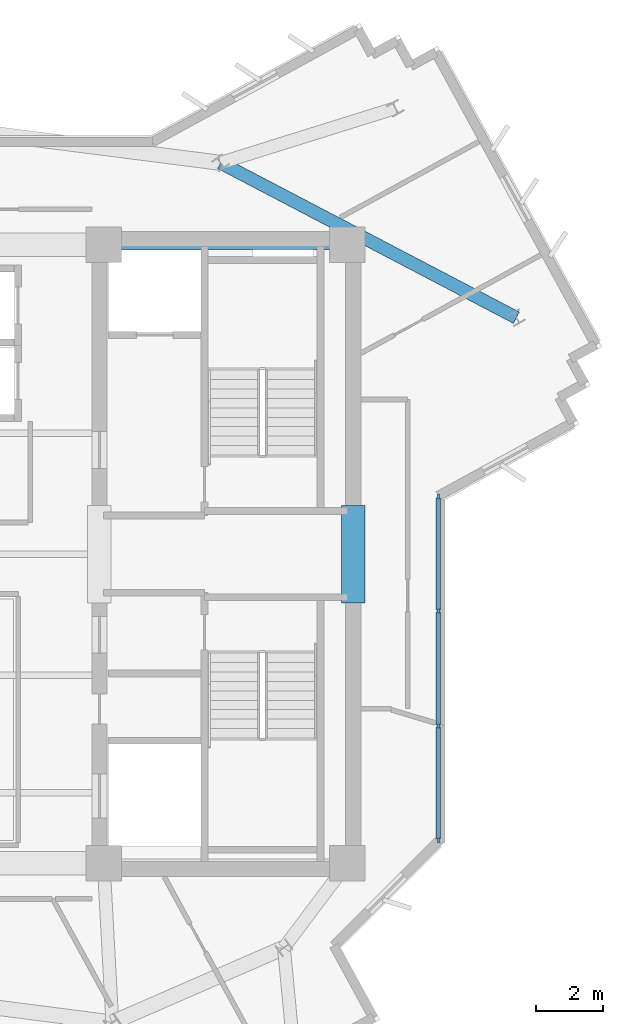
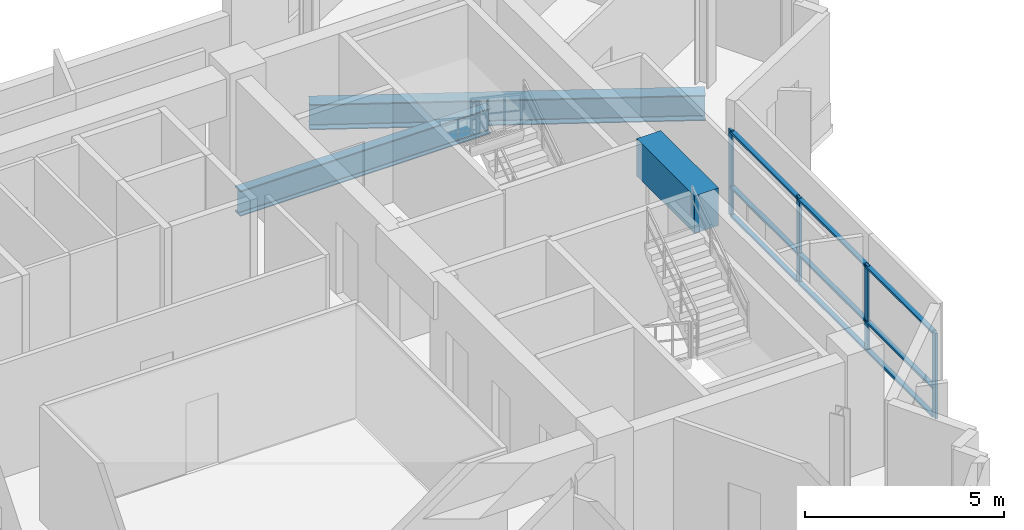
# One storey, part 3 of 13: 13 members, 3 beams, 1 element without a shape of its own.
"""IFC4 building model written with IfcOpenShell, lengths in metres."""

import ifcopenshell
import ifcopenshell.guid

model = None  # the IFC model being written
_history = None  # IfcOwnerHistory: only IFC2X3 demands one
_inside = {}  # id of a spatial element -> (the spatial element, [elements in it])
_under = {}  # id of a project, library or spatial element -> (it, [spatial elements below it])
_declared = {}  # id of a project -> (the project, [libraries it declares])
_typed = {}  # id of a type object -> (the type object, [elements of that type])
_made_of = {}  # id of a material, layer set ... -> (it, [elements and type objects made of it])


def new_model(schema):
    """Start an empty IFC model of exactly this schema.

    Asked for "IFC4X3", IfcOpenShell would pick the latest addendum, in which some entities
    have other attributes; the version numbers below select the first issue.
    IFC2X3 requires an IfcOwnerHistory on every rooted entity: one is made here for all.
    """
    global model, _history
    if schema == "IFC4X3":
        model = ifcopenshell.file(schema_version=(4, 3, 0, 0))
    else:
        model = ifcopenshell.file(schema=schema)
    _inside.clear()
    _under.clear()
    _declared.clear()
    _typed.clear()
    _made_of.clear()
    _history = None
    if model.schema == "IFC2X3":
        org = make("IfcOrganization", Name="unknown")
        user = make(
            "IfcPersonAndOrganization",
            ThePerson=make("IfcPerson", FamilyName="unknown"),
            TheOrganization=org,
        )
        app = make(
            "IfcApplication",
            ApplicationDeveloper=org,
            Version="unknown",
            ApplicationFullName="unknown",
            ApplicationIdentifier="unknown",
        )
        _history = make(
            "IfcOwnerHistory",
            OwningUser=user,
            OwningApplication=app,
            ChangeAction="ADDED",
            CreationDate=0,
        )
    return model


def make(cls, **values):
    """One entity of the class cls with the attributes given. An attribute that is None is left unset."""
    return model.create_entity(
        cls, **{name: value for name, value in values.items() if value is not None}
    )


def rooted(cls, **values):
    """An entity with a GlobalId (a new one), such as an element, a storey or a relation."""
    return make(cls, GlobalId=ifcopenshell.guid.new(), OwnerHistory=_history, **values)


def si_unit(unit_type, name, prefix=None):
    """IfcSIUnit, for example si_unit("LENGTHUNIT", "METRE", prefix="MILLI")."""
    return make("IfcSIUnit", UnitType=unit_type, Prefix=prefix, Name=name)


def assignment(units):
    """IfcUnitAssignment: the units of a project."""
    return None if units is None else make("IfcUnitAssignment", Units=units)


def point(xyz):
    """IfcCartesianPoint."""
    return None if xyz is None else make("IfcCartesianPoint", Coordinates=xyz)


def direction(xyz):
    """IfcDirection."""
    return None if xyz is None else make("IfcDirection", DirectionRatios=xyz)


def frame(location, z_axis=None, x_axis=None):
    """IfcAxis2Placement3D, a coordinate frame: its origin and axes. An axis left out is left unset."""
    return make(
        "IfcAxis2Placement3D",
        Location=point(location),
        Axis=direction(z_axis),
        RefDirection=direction(x_axis),
    )


def frame_2d(location, x_axis=None):
    """IfcAxis2Placement2D, a coordinate frame in the plane: its origin and x axis."""
    return make(
        "IfcAxis2Placement2D", Location=point(location), RefDirection=direction(x_axis)
    )


def origin():
    """The frame at (0, 0, 0) with its axes left unset."""
    return frame((0.0, 0.0, 0.0))


def origin_2d():
    """The frame at (0, 0) in the plane with its x axis left unset."""
    return frame_2d((0.0, 0.0))


def place(relative_to, where):
    """IfcLocalPlacement: puts the frame where relative to a parent placement (None: the world)."""
    return make(
        "IfcLocalPlacement", PlacementRelTo=relative_to, RelativePlacement=where
    )


def context(
    kind, dimensions, precision=None, world=None, true_north=None, identifier=None
):
    """IfcGeometricRepresentationContext, for example the 3D "Model" context."""
    return make(
        "IfcGeometricRepresentationContext",
        ContextIdentifier=identifier,
        ContextType=kind,
        CoordinateSpaceDimension=dimensions,
        Precision=precision,
        WorldCoordinateSystem=world,
        TrueNorth=true_north,
    )


def subcontext(parent, identifier, kind, view, scale=None):
    """IfcGeometricRepresentationSubContext, for example "Body" below "Model"."""
    return make(
        "IfcGeometricRepresentationSubContext",
        ContextIdentifier=identifier,
        ContextType=kind,
        ParentContext=parent,
        TargetScale=scale,
        TargetView=view,
    )


def project(units=None, contexts=None):
    """IfcProject with its units and contexts."""
    return rooted(
        "IfcProject",
        Name="project",
        RepresentationContexts=contexts,
        UnitsInContext=assignment(units),
    )


def spatial(cls, under=None, at=None, **own):
    """A site, building, storey or space (cls), placed at a placement, below another one or the project."""
    s = rooted(cls, ObjectPlacement=at, **own)
    if under is not None:
        _under.setdefault(under.id(), (under, []))[1].append(s)
    return s


def profile(cls, at=None, kind="AREA", **sizes):
    """A parametric profile (cls). Its sizes go by their IFC names, for example OverallWidth=200.0."""
    return make(cls, ProfileType=kind, Position=at, **sizes)


def rectangle(**sizes):
    """IfcRectangleProfileDef."""
    return profile("IfcRectangleProfileDef", **sizes)


def i_section(**sizes):
    """IfcIShapeProfileDef."""
    return profile("IfcIShapeProfileDef", **sizes)


def extrude(swept, where, along, depth):
    """IfcExtrudedAreaSolid: the profile swept, set in the frame where, extruded along a direction by depth."""
    return make(
        "IfcExtrudedAreaSolid",
        SweptArea=swept,
        Position=where,
        ExtrudedDirection=direction(along),
        Depth=depth,
    )


def shape(context_of_items, identifier, shape_type, items):
    """IfcShapeRepresentation: the items that make up one representation, for example the "Body"."""
    return make(
        "IfcShapeRepresentation",
        ContextOfItems=context_of_items,
        RepresentationIdentifier=identifier,
        RepresentationType=shape_type,
        Items=items,
    )


def source(mapping_origin, context_of_items, identifier, shape_type, items):
    """IfcRepresentationMap: a shape defined once, which mapped items show again and again."""
    return make(
        "IfcRepresentationMap",
        MappingOrigin=mapping_origin,
        MappedRepresentation=shape(context_of_items, identifier, shape_type, items),
    )


def transform(
    local_origin,
    x_axis=None,
    y_axis=None,
    z_axis=None,
    scale=None,
    scale2=None,
    scale3=None,
    uniform=True,
):
    """IfcCartesianTransformationOperator3D, or its non-uniform kind. x_axis, y_axis, z_axis: its Axis1, 2, 3."""
    if uniform:
        return make(
            "IfcCartesianTransformationOperator3D",
            Axis1=direction(x_axis),
            Axis2=direction(y_axis),
            LocalOrigin=point(local_origin),
            Scale=scale,
            Axis3=direction(z_axis),
        )
    return make(
        "IfcCartesianTransformationOperator3DnonUniform",
        Axis1=direction(x_axis),
        Axis2=direction(y_axis),
        LocalOrigin=point(local_origin),
        Scale=scale,
        Axis3=direction(z_axis),
        Scale2=scale2,
        Scale3=scale3,
    )


def mapped(mapping_source, mapping_target):
    """IfcMappedItem: shows the shape of a source again, moved by a transform."""
    return make(
        "IfcMappedItem", MappingSource=mapping_source, MappingTarget=mapping_target
    )


def material(Name=None, Category=None):
    """IfcMaterial."""
    return make("IfcMaterial", Name=Name, Category=Category)


def layer(
    of_material, thickness, ventilated=None, Name=None, Category=None, Priority=None
):
    """IfcMaterialLayer: one layer of a wall or slab, of a material (None: an air gap)."""
    return make(
        "IfcMaterialLayer",
        Material=of_material,
        LayerThickness=thickness,
        IsVentilated=ventilated,
        Name=Name,
        Category=Category,
        Priority=Priority,
    )


def layer_set(layers, Name=None):
    """IfcMaterialLayerSet."""
    return make("IfcMaterialLayerSet", MaterialLayers=layers, LayerSetName=Name)


def material_profile(
    of_material, cross_section, Name=None, Category=None, Priority=None
):
    """IfcMaterialProfile: a cross section and its material."""
    return make(
        "IfcMaterialProfile",
        Name=Name,
        Material=of_material,
        Profile=cross_section,
        Priority=Priority,
        Category=Category,
    )


def profile_set(profiles, Name=None, composite=None):
    """IfcMaterialProfileSet."""
    return make(
        "IfcMaterialProfileSet",
        Name=Name,
        MaterialProfiles=profiles,
        CompositeProfile=composite,
    )


def made_of(thing, what):
    """Note that an element or type object is made of a material, layer set ...; save() writes the relation."""
    if what is not None:
        _made_of.setdefault(what.id(), (what, []))[1].append(thing)
    return thing


def type_object(cls, material=None, **own):
    """A type object (cls), such as IfcWallType, which elements share."""
    return made_of(rooted(cls, **own), material)


def element(
    cls,
    number,
    at=None,
    inside=None,
    cuts=None,
    type_object=None,
    material=None,
    context=None,
    identifier="Body",
    shape_type=None,
    held_by="IfcProductDefinitionShape",
    body=None,
    shapes=None,
    **own,
):
    """One element of the class cls, such as IfcWall. Its Tag is "e" and its number.

    at: its placement. inside: the storey or other place that contains it. cuts: it is an
    opening in that element (IfcRelVoidsElement). A single representation is given by context,
    identifier, shape_type and body (its items); several are given by shapes. held_by: the class
    of the entity that holds the representations. save() writes the other relations.
    """
    e = rooted(cls, Tag="e%d" % number, ObjectPlacement=at, **own)
    if body is not None:
        shapes = [shape(context, identifier, shape_type, body)]
    if shapes is not None:
        e.Representation = make(held_by, Representations=shapes)
    if inside is not None:
        _inside.setdefault(inside.id(), (inside, []))[1].append(e)
    if cuts is not None:
        rooted(
            "IfcRelVoidsElement", RelatingBuildingElement=cuts, RelatedOpeningElement=e
        )
    if type_object is not None:
        _typed.setdefault(type_object.id(), (type_object, []))[1].append(e)
    return made_of(e, material)


def aggregate(whole, parts):
    """IfcRelAggregates: a whole, such as a stair, and the parts it consists of."""
    return rooted("IfcRelAggregates", RelatingObject=whole, RelatedObjects=parts)


def save(model, path):
    """Write the relations noted so far, then the file.

    IfcRelAggregates (storeys below a building ...), IfcRelContainedInSpatialStructure (elements
    in a storey), IfcRelDefinesByType, IfcRelAssociatesMaterial and IfcRelDeclares: one each for
    every whole, place, type object, material and project.
    """
    for whole, parts in _under.values():
        aggregate(whole, parts)
    for where, things in _inside.values():
        rooted(
            "IfcRelContainedInSpatialStructure",
            RelatedElements=things,
            RelatingStructure=where,
        )
    for kind, things in _typed.values():
        rooted("IfcRelDefinesByType", RelatedObjects=things, RelatingType=kind)
    for what, things in _made_of.values():
        rooted("IfcRelAssociatesMaterial", RelatedObjects=things, RelatingMaterial=what)
    for by, libraries in _declared.values():
        rooted("IfcRelDeclares", RelatingContext=by, RelatedDefinitions=libraries)
    model.write(path)


model = new_model("IFC4")

# Units and contexts
model_context = context("Model", 3, precision=1e-05, world=origin(), true_north=direction((0.0, 1.0)))
body_context = subcontext(model_context, "Body", "Model", "MODEL_VIEW")
ifc_project = project(units=[si_unit("LENGTHUNIT", "METRE"), si_unit("AREAUNIT", "SQUARE_METRE"), si_unit("VOLUMEUNIT", "CUBIC_METRE"), si_unit("PLANEANGLEUNIT", "RADIAN"), si_unit("MASSUNIT", "GRAM", prefix="KILO")], contexts=[model_context])

# Site, building, storey
site_placement = place(None, origin())
site = spatial("IfcSite", under=ifc_project, at=site_placement, CompositionType="ELEMENT")
building_placement = place(site_placement, origin())
building = spatial("IfcBuilding", under=site, at=building_placement, Name="Zahravan Cultural Tower", CompositionType="ELEMENT")
storey_placement = place(building_placement, frame((0.0, 0.0, 254.10009765625)))
storey = spatial("IfcBuildingStorey", under=building, at=storey_placement, Name="L60", CompositionType="ELEMENT", Elevation=254.10009765625)

# Beams
ifc_material_1 = material(Name="Concrete C50/60", Category="concrete")
ifc_material_profile_1 = material_profile(ifc_material_1, rectangle(XDim=0.699951171875, YDim=1.14990234375, at=origin_2d()), Name="RC700X1150")
ifc_profile_set_1 = profile_set([ifc_material_profile_1], Name="Concrete C50/60")
beam_type_1 = type_object("IfcBeamType", Name="BM-LN-RC700X1150", PredefinedType="LINTEL", material=ifc_profile_set_1)
shared_shape_1 = source(origin(), body_context, "Body", "SweptSolid", [
    extrude(rectangle(XDim=0.699951171875, YDim=1.14990234375, at=origin_2d()), origin(), (0.0, 0.0, 1.0), 2.89990234375),
])
beam_1_placement = place(storey_placement, frame((50.52490234375, 25.550048828125, 2.9248046875), z_axis=(0.0, 1.0, 0.0), x_axis=(-1.0, 0.0, 0.0)))
element("IfcBeam", 1, at=beam_1_placement, inside=storey, type_object=beam_type_1, Name="L60 Beam LN-L60-PEE", PredefinedType="LINTEL", context=body_context, shape_type="MappedRepresentation", body=[
    mapped(shared_shape_1, transform((0.0, 0.0, 0.0), x_axis=(1.0, 0.0, 0.0), y_axis=(0.0, 1.0, 0.0), z_axis=(0.0, 0.0, 1.0), scale=1.0)),
])
ifc_material_2 = material(Name="Steel ASTM A992 Grade 50", Category="steel")
ifc_material_profile_2 = material_profile(ifc_material_2, i_section(OverallWidth=0.26611328125, OverallDepth=0.780029296875, WebThickness=0.0166015625, FlangeThickness=0.030029296875, FilletRadius=0.01904296875, at=origin_2d()), Name="W30X148")
ifc_profile_set_2 = profile_set([ifc_material_profile_2], Name="Steel ASTM A992 Grade 50")
beam_type_2 = type_object("IfcBeamType", Name="BM-G-W30X148", PredefinedType="BEAM", material=ifc_profile_set_2)
shared_shape_2 = source(origin(), body_context, "Body", "SweptSolid", [
    extrude(i_section(OverallWidth=0.26611328125, OverallDepth=0.780029296875, WebThickness=0.0166015625, FlangeThickness=0.030029296875, FilletRadius=0.01904296875, at=origin_2d()), origin(), (0.0, 0.0, 1.0), 7.25),
])
beam_2_placement = place(storey_placement, frame((43.10009765625, 36.199951171875, -0.64013671875), z_axis=(1.0, 0.0, 0.0), x_axis=(0.0, 1.0, 0.0)))
element("IfcBeam", 2, at=beam_2_placement, inside=storey, type_object=beam_type_2, Name="L60 Beam BG-L60-05", PredefinedType="BEAM", context=body_context, shape_type="MappedRepresentation", body=[
    mapped(shared_shape_2, transform((0.0, 0.0, 0.0), x_axis=(1.0, 0.0, 0.0), y_axis=(0.0, 1.0, 0.0), z_axis=(0.0, 0.0, 1.0), scale=1.0)),
])
ifc_material_profile_3 = material_profile(ifc_material_2, i_section(OverallWidth=0.382080078125, OverallDepth=0.779052734375, WebThickness=0.01806640625, FlangeThickness=0.030029296875, FilletRadius=0.01904296875, at=origin_2d()), Name="W30X191")
ifc_profile_set_3 = profile_set([ifc_material_profile_3], Name="Steel ASTM A992 Grade 50")
beam_type_3 = type_object("IfcBeamType", Name="BM-G-W30X191", PredefinedType="BEAM", material=ifc_profile_set_3)
shared_shape_3 = source(origin(), body_context, "Body", "SweptSolid", [
    extrude(i_section(OverallWidth=0.382080078125, OverallDepth=0.779052734375, WebThickness=0.01806640625, FlangeThickness=0.030029296875, FilletRadius=0.01904296875, at=origin_2d()), origin(), (0.0, 0.0, 1.0), 9.935791015625),
])
beam_3_placement = place(storey_placement, frame((46.577880859375, 38.640625, -0.6396484375), z_axis=(0.885932031042, -0.463815088558, 0.0), x_axis=(0.463815088558, 0.885932031042, 0.0)))
element("IfcBeam", 3, at=beam_3_placement, inside=storey, type_object=beam_type_3, Name="L60 Beam BG-L60-12", PredefinedType="BEAM", context=body_context, shape_type="MappedRepresentation", body=[
    mapped(shared_shape_3, transform((0.0, 0.0, 0.0), x_axis=(1.0, 0.0, 0.0), y_axis=(0.0, 1.0, 0.0), z_axis=(0.0, 0.0, 1.0), scale=1.0)),
])

# Curtain wall, members
ifc_material_3 = material(Name="Anodised bronze-aluminium mullion", Category="aluminium")
ifc_layer = layer(ifc_material_3, 0.1650390625)
ifc_layer_set = layer_set([ifc_layer], Name="Anodised bronze-aluminium mullion")
curtain_wall_type = type_object("IfcCurtainWallType", Name="CW-SYS-4", PredefinedType="USERDEFINED", material=ifc_layer_set)
curtain_wall_placement = place(storey_placement, origin())
curtain_wall = element("IfcCurtainWall", 4, at=curtain_wall_placement, inside=storey, type_object=curtain_wall_type, Name="L60 Recessed Curtain Wall CW-4.1", ObjectType="RECESSED GLAZING", PredefinedType="USERDEFINED")
ifc_material_profile_4 = material_profile(ifc_material_3, rectangle(XDim=0.06494140625, YDim=0.1650390625, at=origin_2d()), Name="AL-M65X165")
ifc_profile_set_4 = profile_set([ifc_material_profile_4], Name="Anodised bronze-aluminium mullion")
member_type_1 = type_object("IfcMemberType", Name="CWM-CW-4", PredefinedType="MULLION", material=ifc_profile_set_4)
shared_shape_4 = source(origin(), body_context, "Body", "SweptSolid", [
    extrude(rectangle(XDim=0.06494140625, YDim=0.1650390625, at=origin_2d()), origin(), (0.0, 0.0, 1.0), 2.619873046875),
])
member_1_placement = place(storey_placement, frame((53.06005859375, 28.698974609375, 0.0), z_axis=(0.0, 0.0, 1.0), x_axis=(1.0, 0.0, 0.0)))
member_1 = element("IfcMember", 5, at=member_1_placement, type_object=member_type_1, Name="CW-4 mullion 1", PredefinedType="MULLION", context=body_context, shape_type="MappedRepresentation", body=[
    mapped(shared_shape_4, transform((0.0, 0.0, 0.0), x_axis=(1.0, 0.0, 0.0), y_axis=(0.0, 1.0, 0.0), z_axis=(0.0, 0.0, 1.0), scale=1.0)),
])
member_2_placement = place(storey_placement, frame((53.06005859375, 25.306884765625, 0.0), z_axis=(0.0, 0.0, 1.0), x_axis=(1.0, 0.0, 0.0)))
member_2 = element("IfcMember", 6, at=member_2_placement, type_object=member_type_1, Name="CW-4 mullion 2", PredefinedType="MULLION", context=body_context, shape_type="MappedRepresentation", body=[
    mapped(shared_shape_4, transform((0.0, 0.0, 0.0), x_axis=(1.0, 0.0, 0.0), y_axis=(0.0, 1.0, 0.0), z_axis=(0.0, 0.0, 1.0), scale=1.0)),
])
member_3_placement = place(storey_placement, frame((53.06005859375, 21.882568359375, 0.0), z_axis=(0.0, 0.0, 1.0), x_axis=(1.0, 0.0, 0.0)))
member_3 = element("IfcMember", 7, at=member_3_placement, type_object=member_type_1, Name="CW-4 mullion 3", PredefinedType="MULLION", context=body_context, shape_type="MappedRepresentation", body=[
    mapped(shared_shape_4, transform((0.0, 0.0, 0.0), x_axis=(1.0, 0.0, 0.0), y_axis=(0.0, 1.0, 0.0), z_axis=(0.0, 0.0, 1.0), scale=1.0)),
])
member_4_placement = place(storey_placement, frame((53.06005859375, 18.490478515625, 0.0), z_axis=(0.0, 0.0, 1.0), x_axis=(1.0, 0.0, 0.0)))
member_4 = element("IfcMember", 8, at=member_4_placement, type_object=member_type_1, Name="CW-4 mullion 4", PredefinedType="MULLION", context=body_context, shape_type="MappedRepresentation", body=[
    mapped(shared_shape_4, transform((0.0, 0.0, 0.0), x_axis=(1.0, 0.0, 0.0), y_axis=(0.0, 1.0, 0.0), z_axis=(0.0, 0.0, 1.0), scale=1.0)),
])
ifc_material_profile_5 = material_profile(ifc_material_3, rectangle(XDim=0.1298828125, YDim=0.06494140625, at=origin_2d()), Name="AL-T65X130")
ifc_profile_set_5 = profile_set([ifc_material_profile_5], Name="Anodised bronze-aluminium mullion")
member_type_2 = type_object("IfcMemberType", Name="CWT-CW-4", PredefinedType="USERDEFINED", material=ifc_profile_set_5)
shared_shape_5 = source(origin(), body_context, "Body", "SweptSolid", [
    extrude(rectangle(XDim=0.1298828125, YDim=0.06494140625, at=origin_2d()), origin(), (0.0, 0.0, 1.0), 3.326904296875),
])
member_5_placement = place(storey_placement, frame((53.06005859375, 28.66650390625, 0.032470703125), z_axis=(0.0, -1.0, 0.0), x_axis=(1.0, 0.0, 0.0)))
member_5 = element("IfcMember", 9, at=member_5_placement, type_object=member_type_2, Name="CW-4 transom 1.1", ObjectType="TRANSOM", PredefinedType="USERDEFINED", context=body_context, shape_type="MappedRepresentation", body=[
    mapped(shared_shape_5, transform((0.0, 0.0, 0.0), x_axis=(1.0, 0.0, 0.0), y_axis=(0.0, 1.0, 0.0), z_axis=(0.0, 0.0, 1.0), scale=1.0)),
])
member_6_placement = place(storey_placement, frame((53.06005859375, 28.66650390625, 0.89990234375), z_axis=(0.0, -1.0, 0.0), x_axis=(1.0, 0.0, 0.0)))
member_6 = element("IfcMember", 10, at=member_6_placement, type_object=member_type_2, Name="CW-4 transom 1.2", ObjectType="TRANSOM", PredefinedType="USERDEFINED", context=body_context, shape_type="MappedRepresentation", body=[
    mapped(shared_shape_5, transform((0.0, 0.0, 0.0), x_axis=(1.0, 0.0, 0.0), y_axis=(0.0, 1.0, 0.0), z_axis=(0.0, 0.0, 1.0), scale=1.0)),
])
member_7_placement = place(storey_placement, frame((53.06005859375, 28.66650390625, 2.58740234375), z_axis=(0.0, -1.0, 0.0), x_axis=(1.0, 0.0, 0.0)))
member_7 = element("IfcMember", 11, at=member_7_placement, type_object=member_type_2, Name="CW-4 transom 1.3", ObjectType="TRANSOM", PredefinedType="USERDEFINED", context=body_context, shape_type="MappedRepresentation", body=[
    mapped(shared_shape_5, transform((0.0, 0.0, 0.0), x_axis=(1.0, 0.0, 0.0), y_axis=(0.0, 1.0, 0.0), z_axis=(0.0, 0.0, 1.0), scale=1.0)),
])
shared_shape_6 = source(origin(), body_context, "Body", "SweptSolid", [
    extrude(rectangle(XDim=0.1298828125, YDim=0.06494140625, at=origin_2d()), origin(), (0.0, 0.0, 1.0), 3.359375),
])
member_8_placement = place(storey_placement, frame((53.06005859375, 25.2744140625, 0.032470703125), z_axis=(0.0, -1.0, 0.0), x_axis=(1.0, 0.0, 0.0)))
member_8 = element("IfcMember", 12, at=member_8_placement, type_object=member_type_2, Name="CW-4 transom 2.1", ObjectType="TRANSOM", PredefinedType="USERDEFINED", context=body_context, shape_type="MappedRepresentation", body=[
    mapped(shared_shape_6, transform((0.0, 0.0, 0.0), x_axis=(1.0, 0.0, 0.0), y_axis=(0.0, 1.0, 0.0), z_axis=(0.0, 0.0, 1.0), scale=1.0)),
])
member_9_placement = place(storey_placement, frame((53.06005859375, 25.2744140625, 0.89990234375), z_axis=(0.0, -1.0, 0.0), x_axis=(1.0, 0.0, 0.0)))
member_9 = element("IfcMember", 13, at=member_9_placement, type_object=member_type_2, Name="CW-4 transom 2.2", ObjectType="TRANSOM", PredefinedType="USERDEFINED", context=body_context, shape_type="MappedRepresentation", body=[
    mapped(shared_shape_6, transform((0.0, 0.0, 0.0), x_axis=(1.0, 0.0, 0.0), y_axis=(0.0, 1.0, 0.0), z_axis=(0.0, 0.0, 1.0), scale=1.0)),
])
member_10_placement = place(storey_placement, frame((53.06005859375, 25.2744140625, 2.58740234375), z_axis=(0.0, -1.0, 0.0), x_axis=(1.0, 0.0, 0.0)))
member_10 = element("IfcMember", 14, at=member_10_placement, type_object=member_type_2, Name="CW-4 transom 2.3", ObjectType="TRANSOM", PredefinedType="USERDEFINED", context=body_context, shape_type="MappedRepresentation", body=[
    mapped(shared_shape_6, transform((0.0, 0.0, 0.0), x_axis=(1.0, 0.0, 0.0), y_axis=(0.0, 1.0, 0.0), z_axis=(0.0, 0.0, 1.0), scale=1.0)),
])
shared_shape_7 = source(origin(), body_context, "Body", "SweptSolid", [
    extrude(rectangle(XDim=0.1298828125, YDim=0.06494140625, at=origin_2d()), origin(), (0.0, 0.0, 1.0), 3.3271484375),
])
member_11_placement = place(storey_placement, frame((53.06005859375, 21.85009765625, 0.032470703125), z_axis=(0.0, -1.0, 0.0), x_axis=(1.0, 0.0, 0.0)))
member_11 = element("IfcMember", 15, at=member_11_placement, type_object=member_type_2, Name="CW-4 transom 3.1", ObjectType="TRANSOM", PredefinedType="USERDEFINED", context=body_context, shape_type="MappedRepresentation", body=[
    mapped(shared_shape_7, transform((0.0, 0.0, 0.0), x_axis=(1.0, 0.0, 0.0), y_axis=(0.0, 1.0, 0.0), z_axis=(0.0, 0.0, 1.0), scale=1.0)),
])
member_12_placement = place(storey_placement, frame((53.06005859375, 21.85009765625, 0.89990234375), z_axis=(0.0, -1.0, 0.0), x_axis=(1.0, 0.0, 0.0)))
member_12 = element("IfcMember", 16, at=member_12_placement, type_object=member_type_2, Name="CW-4 transom 3.2", ObjectType="TRANSOM", PredefinedType="USERDEFINED", context=body_context, shape_type="MappedRepresentation", body=[
    mapped(shared_shape_7, transform((0.0, 0.0, 0.0), x_axis=(1.0, 0.0, 0.0), y_axis=(0.0, 1.0, 0.0), z_axis=(0.0, 0.0, 1.0), scale=1.0)),
])
member_13_placement = place(storey_placement, frame((53.06005859375, 21.85009765625, 2.58740234375), z_axis=(0.0, -1.0, 0.0), x_axis=(1.0, 0.0, 0.0)))
member_13 = element("IfcMember", 17, at=member_13_placement, type_object=member_type_2, Name="CW-4 transom 3.3", ObjectType="TRANSOM", PredefinedType="USERDEFINED", context=body_context, shape_type="MappedRepresentation", body=[
    mapped(shared_shape_7, transform((0.0, 0.0, 0.0), x_axis=(1.0, 0.0, 0.0), y_axis=(0.0, 1.0, 0.0), z_axis=(0.0, 0.0, 1.0), scale=1.0)),
])
aggregate(curtain_wall, [member_1, member_2, member_3, member_4, member_5, member_6, member_7, member_8, member_9, member_10, member_11, member_12, member_13])

save(model, "model.ifc")
